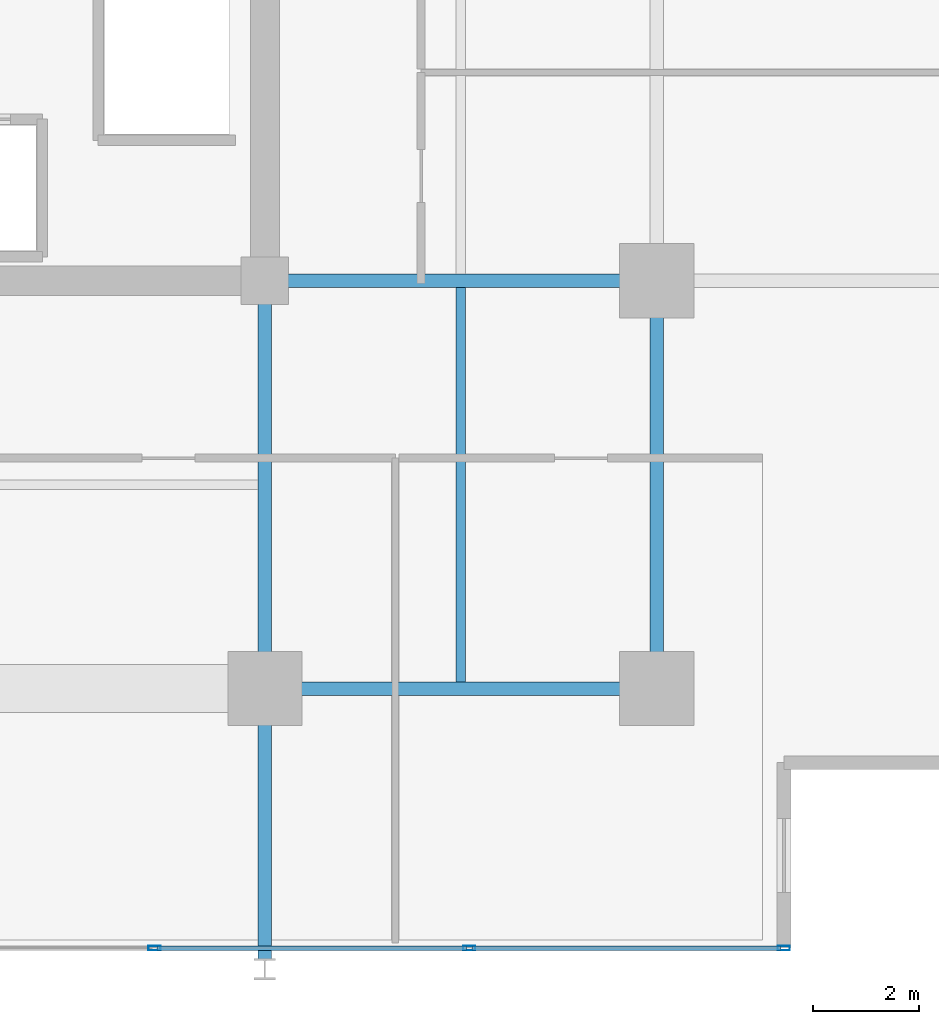
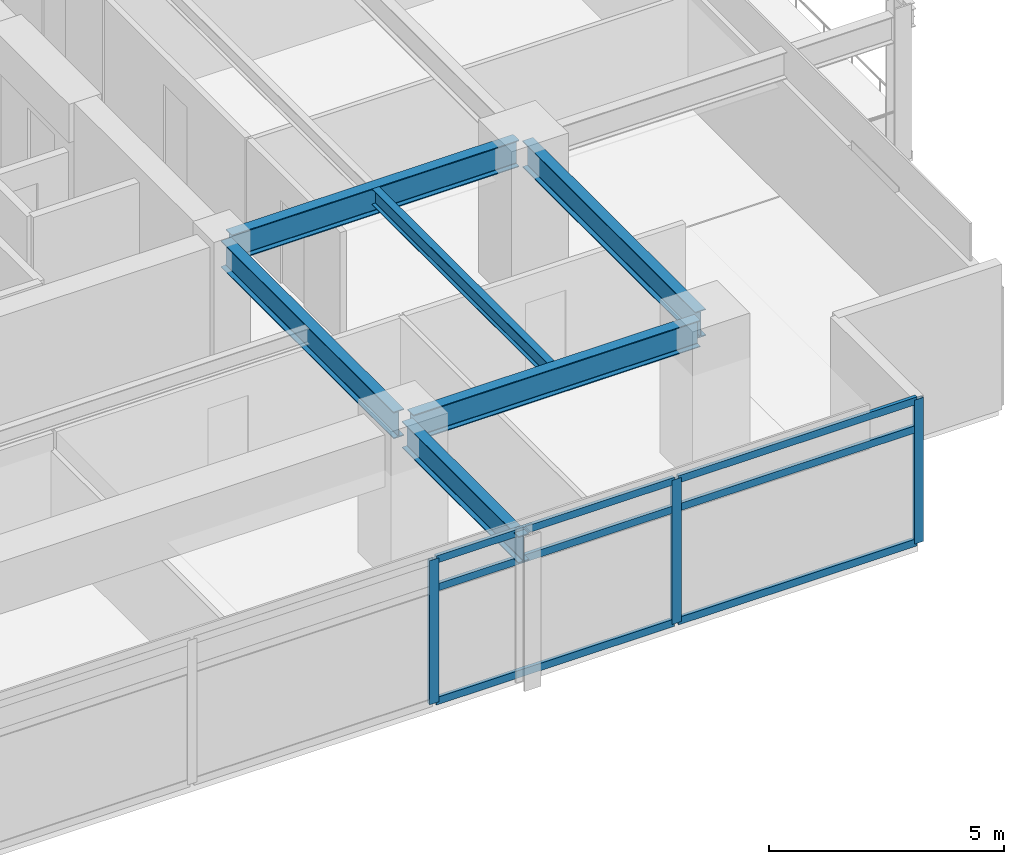
# One storey, part 6 of 21: 9 members, 6 beams, 1 element without a shape of its own.
"""IFC4 building model written with IfcOpenShell, lengths in metres."""

from ifc_helpers import new_model, si_unit, direction, frame, origin, origin_2d, place, context, subcontext, project, spatial, hollow_rectangle, i_section, extrude, material, material_profile, profile_set, type_object, element, aggregate, save


model = new_model("IFC4")

# Units and contexts
model_context = context("Model", 3, precision=1e-05, world=origin(), true_north=direction((0.0, 1.0)))
body_context = subcontext(model_context, "Body", "Model", "MODEL_VIEW")
ifc_project = project(units=[si_unit("LENGTHUNIT", "METRE"), si_unit("AREAUNIT", "SQUARE_METRE"), si_unit("VOLUMEUNIT", "CUBIC_METRE"), si_unit("PLANEANGLEUNIT", "RADIAN"), si_unit("MASSUNIT", "GRAM", prefix="KILO")], contexts=[model_context])

# Site, building, storey
site_placement = place(None, origin())
site = spatial("IfcSite", under=ifc_project, at=site_placement, CompositionType="ELEMENT")
building_placement = place(site_placement, origin())
building = spatial("IfcBuilding", under=site, at=building_placement, Name="Kovane Verandah Tower", CompositionType="ELEMENT")
storey_placement = place(building_placement, frame((0.0, 0.0, 205.199951171875)))
storey = spatial("IfcBuildingStorey", under=building, at=storey_placement, Name="L47", CompositionType="ELEMENT", Elevation=205.199951171875)

# Beams
ifc_material_1 = material(Name="Steel S355", Category="steel")
ifc_material_profile_1 = material_profile(ifc_material_1, i_section(OverallWidth=0.255859375, OverallDepth=0.69287109375, WebThickness=0.014404296875, FlangeThickness=0.023681640625, FilletRadius=0.01513671875, at=origin_2d()), Name="UB686x254x170")
ifc_profile_set_1 = profile_set([ifc_material_profile_1], Name="Steel S355")
beam_type_1 = type_object("IfcBeamType", Name="BM-UB686x170", PredefinedType="BEAM", material=ifc_profile_set_1)
beam_1_placement = place(storey_placement, frame((51.179931640625, 10.800048828125, 3.428466796875), z_axis=(1.0, 0.0, 0.0), x_axis=(0.0, 1.0, 0.0)))
element("IfcBeam", 1, at=beam_1_placement, inside=storey, type_object=beam_type_1, Name="L47 Primary Tower Girder G-RS3", PredefinedType="BEAM", context=body_context, shape_type="SweptSolid", body=[
    extrude(i_section(OverallWidth=0.255859375, OverallDepth=0.69287109375, WebThickness=0.014404296875, FlangeThickness=0.023681640625, FilletRadius=0.01513671875, at=origin_2d()), origin(), (0.0, 0.0, 1.0), 7.0400390625),
])
beam_2_placement = place(storey_placement, frame((58.39990234375, 10.97998046875, 3.428466796875), z_axis=(0.0, 1.0, 0.0), x_axis=(-1.0, 0.0, 0.0)))
element("IfcBeam", 2, at=beam_2_placement, inside=storey, type_object=beam_type_1, Name="L47 Primary Tower Girder G-RE1", PredefinedType="BEAM", context=body_context, shape_type="SweptSolid", body=[
    extrude(i_section(OverallWidth=0.255859375, OverallDepth=0.69287109375, WebThickness=0.014404296875, FlangeThickness=0.023681640625, FilletRadius=0.01513671875, at=origin_2d()), origin(), (0.0, 0.0, 1.0), 7.340087890625),
])
beam_3_placement = place(storey_placement, frame((51.179931640625, 18.5, 3.428466796875), z_axis=(1.0, 0.0, 0.0), x_axis=(0.0, 1.0, 0.0)))
element("IfcBeam", 3, at=beam_3_placement, inside=storey, type_object=beam_type_1, Name="L47 Primary Tower Girder G-E1", PredefinedType="BEAM", context=body_context, shape_type="SweptSolid", body=[
    extrude(i_section(OverallWidth=0.255859375, OverallDepth=0.69287109375, WebThickness=0.014404296875, FlangeThickness=0.023681640625, FilletRadius=0.01513671875, at=origin_2d()), origin(), (0.0, 0.0, 1.0), 7.0400390625),
])
beam_4_placement = place(storey_placement, frame((51.0, 18.320068359375, 3.428466796875), z_axis=(0.0, -1.0, 0.0), x_axis=(1.0, 0.0, 0.0)))
element("IfcBeam", 4, at=beam_4_placement, inside=storey, type_object=beam_type_1, Name="L47 Primary Tower Girder G-S2", PredefinedType="BEAM", context=body_context, shape_type="SweptSolid", body=[
    extrude(i_section(OverallWidth=0.255859375, OverallDepth=0.69287109375, WebThickness=0.014404296875, FlangeThickness=0.023681640625, FilletRadius=0.01513671875, at=origin_2d()), origin(), (0.0, 0.0, 1.0), 7.340087890625),
])
beam_5_placement = place(storey_placement, frame((51.0, 10.6201171875, 3.41357421875), z_axis=(0.0, -1.0, 0.0), x_axis=(1.0, 0.0, 0.0)))
element("IfcBeam", 5, at=beam_5_placement, inside=storey, type_object=beam_type_1, Name="L47 Primary Tower Girder G-VS2", PredefinedType="BEAM", context=body_context, shape_type="SweptSolid", body=[
    extrude(i_section(OverallWidth=0.255859375, OverallDepth=0.69287109375, WebThickness=0.014404296875, FlangeThickness=0.023681640625, FilletRadius=0.01513671875, at=origin_2d()), origin(), (0.0, 0.0, 1.0), 4.940185546875),
])

# Curtain wall, members
ifc_material_2 = material(Name="Champagne Anodised Aluminium Frame with Low-E Clear Laminated Glass", Category="aluminium")
curtain_wall_type = type_object("IfcCurtainWallType", Name="CW-SYS-03-MID", PredefinedType="NOTDEFINED", material=ifc_material_2)
curtain_wall_placement = place(storey_placement, origin())
curtain_wall = element("IfcCurtainWall", 6, at=curtain_wall_placement, inside=storey, type_object=curtain_wall_type, Name="L47 S Unitised Curtain Wall", PredefinedType="NOTDEFINED")
ifc_material_3 = material(Name="Champagne Anodised Aluminium 6063-T6", Category="aluminium")
ifc_material_profile_2 = material_profile(ifc_material_3, hollow_rectangle(XDim=0.0849609375, YDim=0.22998046875, WallThickness=0.00390625, at=origin_2d()), Name="AL85x230x4")
ifc_profile_set_2 = profile_set([ifc_material_profile_2], Name="Champagne Anodised Aluminium 6063-T6")
member_type_1 = type_object("IfcMemberType", Name="CW-MUL-85x230", PredefinedType="MULLION", material=ifc_profile_set_2)
member_1_placement = place(storey_placement, frame((48.914306640625, 5.89990234375, 0.02001953125), z_axis=(0.0, 0.0, 1.0), x_axis=(0.0, -1.0, 0.0)))
member_1 = element("IfcMember", 7, at=member_1_placement, type_object=member_type_1, Name="L47 S Unitised Curtain Wall Mullion 6", PredefinedType="MULLION", context=body_context, shape_type="SweptSolid", body=[
    extrude(hollow_rectangle(XDim=0.0849609375, YDim=0.22998046875, WallThickness=0.00390625, at=origin_2d()), origin(), (0.0, 0.0, 1.0), 3.735107421875),
])
member_2_placement = place(storey_placement, frame((54.857177734375, 5.89990234375, 0.02001953125), z_axis=(0.0, 0.0, 1.0), x_axis=(0.0, -1.0, 0.0)))
member_2 = element("IfcMember", 8, at=member_2_placement, type_object=member_type_1, Name="L47 S Unitised Curtain Wall Mullion 7", PredefinedType="MULLION", context=body_context, shape_type="SweptSolid", body=[
    extrude(hollow_rectangle(XDim=0.0849609375, YDim=0.22998046875, WallThickness=0.00390625, at=origin_2d()), origin(), (0.0, 0.0, 1.0), 3.735107421875),
])
member_3_placement = place(storey_placement, frame((60.800048828125, 5.89990234375, 0.02001953125), z_axis=(0.0, 0.0, 1.0), x_axis=(0.0, -1.0, 0.0)))
member_3 = element("IfcMember", 9, at=member_3_placement, type_object=member_type_1, Name="L47 S Unitised Curtain Wall Mullion 8", PredefinedType="MULLION", context=body_context, shape_type="SweptSolid", body=[
    extrude(hollow_rectangle(XDim=0.0849609375, YDim=0.22998046875, WallThickness=0.00390625, at=origin_2d()), origin(), (0.0, 0.0, 1.0), 3.735107421875),
])
ifc_material_profile_3 = material_profile(ifc_material_3, hollow_rectangle(XDim=0.0849609375, YDim=0.18994140625, WallThickness=0.00390625, at=origin_2d()), Name="AL85x190x4")
ifc_profile_set_3 = profile_set([ifc_material_profile_3], Name="Champagne Anodised Aluminium 6063-T6")
member_type_2 = type_object("IfcMemberType", Name="CW-TRN-85x190", PredefinedType="USERDEFINED", material=ifc_profile_set_3)
member_4_placement = place(storey_placement, frame((48.96435546875, 5.89990234375, 0.050048828125), z_axis=(1.0, 0.0, 0.0), x_axis=(0.0, 1.0, 0.0)))
member_4 = element("IfcMember", 10, at=member_4_placement, type_object=member_type_2, Name="L47 S Unitised Curtain Wall Transom TB Bay 6", ObjectType="TRANSOM", PredefinedType="USERDEFINED", context=body_context, shape_type="SweptSolid", body=[
    extrude(hollow_rectangle(XDim=0.0849609375, YDim=0.18994140625, WallThickness=0.00390625, at=origin_2d()), origin(), (0.0, 0.0, 1.0), 5.8427734375),
])
member_5_placement = place(storey_placement, frame((48.96435546875, 5.89990234375, 2.9951171875), z_axis=(1.0, 0.0, 0.0), x_axis=(0.0, 1.0, 0.0)))
member_5 = element("IfcMember", 11, at=member_5_placement, type_object=member_type_2, Name="L47 S Unitised Curtain Wall Transom TM Bay 6", ObjectType="TRANSOM", PredefinedType="USERDEFINED", context=body_context, shape_type="SweptSolid", body=[
    extrude(hollow_rectangle(XDim=0.0849609375, YDim=0.18994140625, WallThickness=0.00390625, at=origin_2d()), origin(), (0.0, 0.0, 1.0), 5.8427734375),
])
member_6_placement = place(storey_placement, frame((48.96435546875, 5.89990234375, 3.72509765625), z_axis=(1.0, 0.0, 0.0), x_axis=(0.0, 1.0, 0.0)))
member_6 = element("IfcMember", 12, at=member_6_placement, type_object=member_type_2, Name="L47 S Unitised Curtain Wall Transom TT Bay 6", ObjectType="TRANSOM", PredefinedType="USERDEFINED", context=body_context, shape_type="SweptSolid", body=[
    extrude(hollow_rectangle(XDim=0.0849609375, YDim=0.18994140625, WallThickness=0.00390625, at=origin_2d()), origin(), (0.0, 0.0, 1.0), 5.8427734375),
])
member_7_placement = place(storey_placement, frame((54.906982421875, 5.89990234375, 0.050048828125), z_axis=(1.0, 0.0, 0.0), x_axis=(0.0, 1.0, 0.0)))
member_7 = element("IfcMember", 13, at=member_7_placement, type_object=member_type_2, Name="L47 S Unitised Curtain Wall Transom TB Bay 7", ObjectType="TRANSOM", PredefinedType="USERDEFINED", context=body_context, shape_type="SweptSolid", body=[
    extrude(hollow_rectangle(XDim=0.0849609375, YDim=0.18994140625, WallThickness=0.00390625, at=origin_2d()), origin(), (0.0, 0.0, 1.0), 5.843017578125),
])
member_8_placement = place(storey_placement, frame((54.906982421875, 5.89990234375, 2.9951171875), z_axis=(1.0, 0.0, 0.0), x_axis=(0.0, 1.0, 0.0)))
member_8 = element("IfcMember", 14, at=member_8_placement, type_object=member_type_2, Name="L47 S Unitised Curtain Wall Transom TM Bay 7", ObjectType="TRANSOM", PredefinedType="USERDEFINED", context=body_context, shape_type="SweptSolid", body=[
    extrude(hollow_rectangle(XDim=0.0849609375, YDim=0.18994140625, WallThickness=0.00390625, at=origin_2d()), origin(), (0.0, 0.0, 1.0), 5.843017578125),
])
member_9_placement = place(storey_placement, frame((54.906982421875, 5.89990234375, 3.72509765625), z_axis=(1.0, 0.0, 0.0), x_axis=(0.0, 1.0, 0.0)))
member_9 = element("IfcMember", 15, at=member_9_placement, type_object=member_type_2, Name="L47 S Unitised Curtain Wall Transom TT Bay 7", ObjectType="TRANSOM", PredefinedType="USERDEFINED", context=body_context, shape_type="SweptSolid", body=[
    extrude(hollow_rectangle(XDim=0.0849609375, YDim=0.18994140625, WallThickness=0.00390625, at=origin_2d()), origin(), (0.0, 0.0, 1.0), 5.843017578125),
])
aggregate(curtain_wall, [member_1, member_2, member_3, member_4, member_5, member_6, member_7, member_8, member_9])

# Beam
ifc_material_profile_4 = material_profile(ifc_material_1, i_section(OverallWidth=0.179443359375, OverallDepth=0.412841796875, WebThickness=0.009521484375, FlangeThickness=0.01611328125, FilletRadius=0.01025390625, at=origin_2d()), Name="UB406x178x74")
ifc_profile_set_4 = profile_set([ifc_material_profile_4], Name="Steel S355")
beam_type_2 = type_object("IfcBeamType", Name="JST-UB406x74", PredefinedType="JOIST", material=ifc_profile_set_4)
beam_6_placement = place(storey_placement, frame((54.699951171875, 10.92578125, 3.568603515625), z_axis=(0.0, 1.0, 0.0), x_axis=(-1.0, 0.0, 0.0)))
element("IfcBeam", 16, at=beam_6_placement, inside=storey, type_object=beam_type_2, Name="L47 Secondary Composite Joist J-SE1", PredefinedType="JOIST", context=body_context, shape_type="SweptSolid", body=[
    extrude(i_section(OverallWidth=0.179443359375, OverallDepth=0.412841796875, WebThickness=0.009521484375, FlangeThickness=0.01611328125, FilletRadius=0.01025390625, at=origin_2d()), origin(), (0.0, 0.0, 1.0), 7.4482421875),
])

save(model, "model.ifc")
